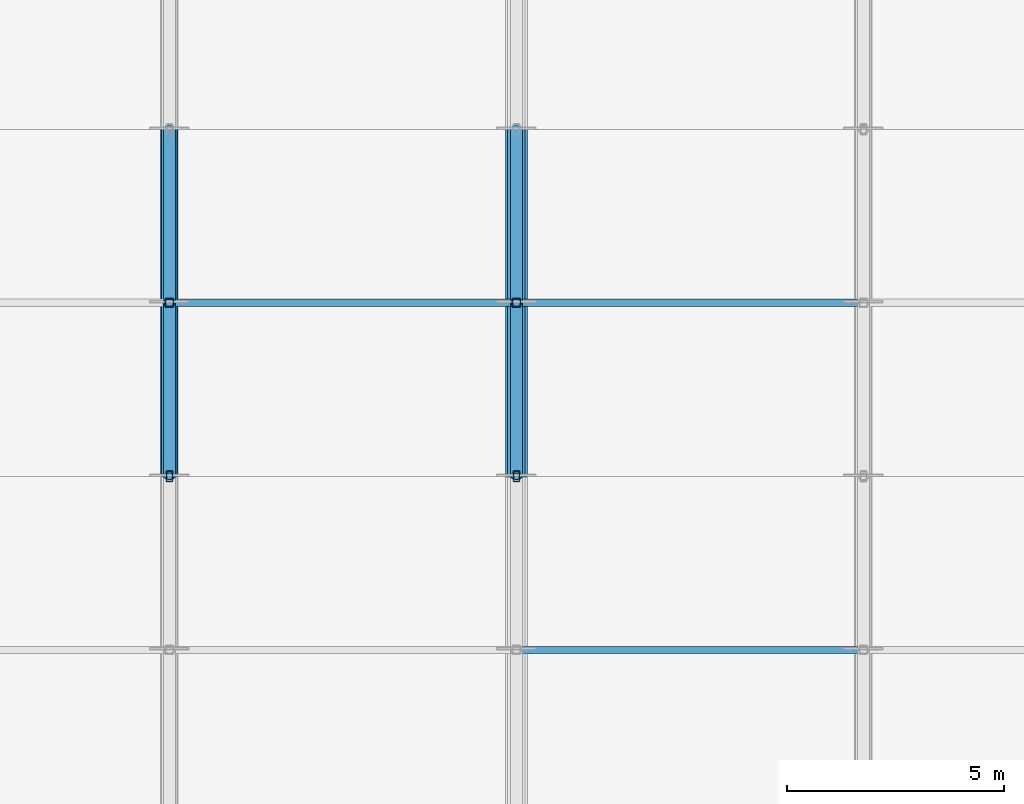
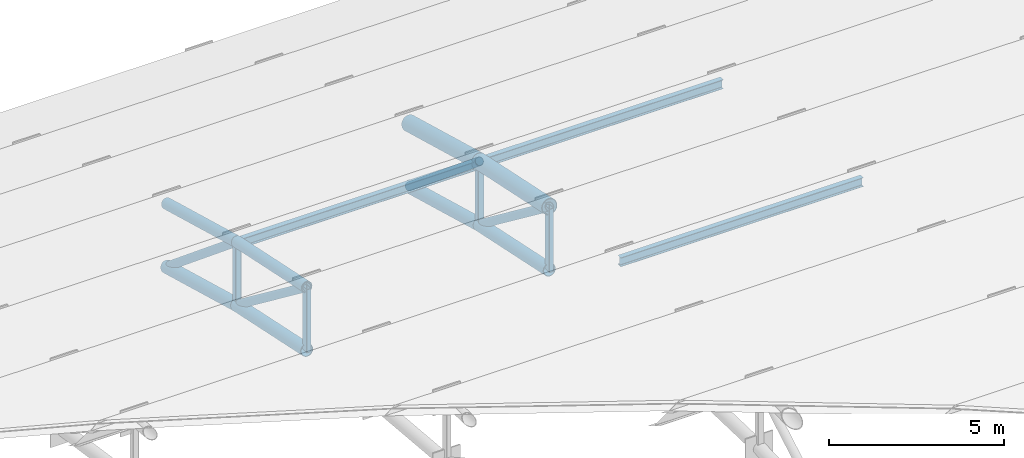
# One storey, part 16 of 98: 19 members.
"""IFC4 building model written with IfcOpenShell, lengths in metres."""

import ifcopenshell
import ifcopenshell.guid

model = None  # the IFC model being written
_history = None  # IfcOwnerHistory: only IFC2X3 demands one
_inside = {}  # id of a spatial element -> (the spatial element, [elements in it])
_under = {}  # id of a project, library or spatial element -> (it, [spatial elements below it])
_declared = {}  # id of a project -> (the project, [libraries it declares])
_typed = {}  # id of a type object -> (the type object, [elements of that type])
_made_of = {}  # id of a material, layer set ... -> (it, [elements and type objects made of it])


def new_model(schema):
    """Start an empty IFC model of exactly this schema.

    Asked for "IFC4X3", IfcOpenShell would pick the latest addendum, in which some entities
    have other attributes; the version numbers below select the first issue.
    IFC2X3 requires an IfcOwnerHistory on every rooted entity: one is made here for all.
    """
    global model, _history
    if schema == "IFC4X3":
        model = ifcopenshell.file(schema_version=(4, 3, 0, 0))
    else:
        model = ifcopenshell.file(schema=schema)
    _inside.clear()
    _under.clear()
    _declared.clear()
    _typed.clear()
    _made_of.clear()
    _history = None
    if model.schema == "IFC2X3":
        org = make("IfcOrganization", Name="unknown")
        user = make(
            "IfcPersonAndOrganization",
            ThePerson=make("IfcPerson", FamilyName="unknown"),
            TheOrganization=org,
        )
        app = make(
            "IfcApplication",
            ApplicationDeveloper=org,
            Version="unknown",
            ApplicationFullName="unknown",
            ApplicationIdentifier="unknown",
        )
        _history = make(
            "IfcOwnerHistory",
            OwningUser=user,
            OwningApplication=app,
            ChangeAction="ADDED",
            CreationDate=0,
        )
    return model


def make(cls, **values):
    """One entity of the class cls with the attributes given. An attribute that is None is left unset."""
    return model.create_entity(
        cls, **{name: value for name, value in values.items() if value is not None}
    )


def rooted(cls, **values):
    """An entity with a GlobalId (a new one), such as an element, a storey or a relation."""
    return make(cls, GlobalId=ifcopenshell.guid.new(), OwnerHistory=_history, **values)


def si_unit(unit_type, name, prefix=None):
    """IfcSIUnit, for example si_unit("LENGTHUNIT", "METRE", prefix="MILLI")."""
    return make("IfcSIUnit", UnitType=unit_type, Prefix=prefix, Name=name)


def assignment(units):
    """IfcUnitAssignment: the units of a project."""
    return None if units is None else make("IfcUnitAssignment", Units=units)


def point(xyz):
    """IfcCartesianPoint."""
    return None if xyz is None else make("IfcCartesianPoint", Coordinates=xyz)


def direction(xyz):
    """IfcDirection."""
    return None if xyz is None else make("IfcDirection", DirectionRatios=xyz)


def frame(location, z_axis=None, x_axis=None):
    """IfcAxis2Placement3D, a coordinate frame: its origin and axes. An axis left out is left unset."""
    return make(
        "IfcAxis2Placement3D",
        Location=point(location),
        Axis=direction(z_axis),
        RefDirection=direction(x_axis),
    )


def frame_2d(location, x_axis=None):
    """IfcAxis2Placement2D, a coordinate frame in the plane: its origin and x axis."""
    return make(
        "IfcAxis2Placement2D", Location=point(location), RefDirection=direction(x_axis)
    )


def origin():
    """The frame at (0, 0, 0) with its axes left unset."""
    return frame((0.0, 0.0, 0.0))


def origin_2d():
    """The frame at (0, 0) in the plane with its x axis left unset."""
    return frame_2d((0.0, 0.0))


def place(relative_to, where):
    """IfcLocalPlacement: puts the frame where relative to a parent placement (None: the world)."""
    return make(
        "IfcLocalPlacement", PlacementRelTo=relative_to, RelativePlacement=where
    )


def context(
    kind, dimensions, precision=None, world=None, true_north=None, identifier=None
):
    """IfcGeometricRepresentationContext, for example the 3D "Model" context."""
    return make(
        "IfcGeometricRepresentationContext",
        ContextIdentifier=identifier,
        ContextType=kind,
        CoordinateSpaceDimension=dimensions,
        Precision=precision,
        WorldCoordinateSystem=world,
        TrueNorth=true_north,
    )


def subcontext(parent, identifier, kind, view, scale=None):
    """IfcGeometricRepresentationSubContext, for example "Body" below "Model"."""
    return make(
        "IfcGeometricRepresentationSubContext",
        ContextIdentifier=identifier,
        ContextType=kind,
        ParentContext=parent,
        TargetScale=scale,
        TargetView=view,
    )


def project(units=None, contexts=None):
    """IfcProject with its units and contexts."""
    return rooted(
        "IfcProject",
        Name="project",
        RepresentationContexts=contexts,
        UnitsInContext=assignment(units),
    )


def spatial(cls, under=None, at=None, **own):
    """A site, building, storey or space (cls), placed at a placement, below another one or the project."""
    s = rooted(cls, ObjectPlacement=at, **own)
    if under is not None:
        _under.setdefault(under.id(), (under, []))[1].append(s)
    return s


def profile(cls, at=None, kind="AREA", **sizes):
    """A parametric profile (cls). Its sizes go by their IFC names, for example OverallWidth=200.0."""
    return make(cls, ProfileType=kind, Position=at, **sizes)


def hollow_rectangle(**sizes):
    """IfcRectangleHollowProfileDef."""
    return profile("IfcRectangleHollowProfileDef", **sizes)


def hollow_circle(**sizes):
    """IfcCircleHollowProfileDef."""
    return profile("IfcCircleHollowProfileDef", **sizes)


def i_section(**sizes):
    """IfcIShapeProfileDef."""
    return profile("IfcIShapeProfileDef", **sizes)


def extrude(swept, where, along, depth):
    """IfcExtrudedAreaSolid: the profile swept, set in the frame where, extruded along a direction by depth."""
    return make(
        "IfcExtrudedAreaSolid",
        SweptArea=swept,
        Position=where,
        ExtrudedDirection=direction(along),
        Depth=depth,
    )


def shape(context_of_items, identifier, shape_type, items):
    """IfcShapeRepresentation: the items that make up one representation, for example the "Body"."""
    return make(
        "IfcShapeRepresentation",
        ContextOfItems=context_of_items,
        RepresentationIdentifier=identifier,
        RepresentationType=shape_type,
        Items=items,
    )


def material(Name=None, Category=None):
    """IfcMaterial."""
    return make("IfcMaterial", Name=Name, Category=Category)


def material_profile(
    of_material, cross_section, Name=None, Category=None, Priority=None
):
    """IfcMaterialProfile: a cross section and its material."""
    return make(
        "IfcMaterialProfile",
        Name=Name,
        Material=of_material,
        Profile=cross_section,
        Priority=Priority,
        Category=Category,
    )


def profile_set(profiles, Name=None, composite=None):
    """IfcMaterialProfileSet."""
    return make(
        "IfcMaterialProfileSet",
        Name=Name,
        MaterialProfiles=profiles,
        CompositeProfile=composite,
    )


def made_of(thing, what):
    """Note that an element or type object is made of a material, layer set ...; save() writes the relation."""
    if what is not None:
        _made_of.setdefault(what.id(), (what, []))[1].append(thing)
    return thing


def type_object(cls, material=None, **own):
    """A type object (cls), such as IfcWallType, which elements share."""
    return made_of(rooted(cls, **own), material)


def element(
    cls,
    number,
    at=None,
    inside=None,
    cuts=None,
    type_object=None,
    material=None,
    context=None,
    identifier="Body",
    shape_type=None,
    held_by="IfcProductDefinitionShape",
    body=None,
    shapes=None,
    **own,
):
    """One element of the class cls, such as IfcWall. Its Tag is "e" and its number.

    at: its placement. inside: the storey or other place that contains it. cuts: it is an
    opening in that element (IfcRelVoidsElement). A single representation is given by context,
    identifier, shape_type and body (its items); several are given by shapes. held_by: the class
    of the entity that holds the representations. save() writes the other relations.
    """
    e = rooted(cls, Tag="e%d" % number, ObjectPlacement=at, **own)
    if body is not None:
        shapes = [shape(context, identifier, shape_type, body)]
    if shapes is not None:
        e.Representation = make(held_by, Representations=shapes)
    if inside is not None:
        _inside.setdefault(inside.id(), (inside, []))[1].append(e)
    if cuts is not None:
        rooted(
            "IfcRelVoidsElement", RelatingBuildingElement=cuts, RelatedOpeningElement=e
        )
    if type_object is not None:
        _typed.setdefault(type_object.id(), (type_object, []))[1].append(e)
    return made_of(e, material)


def aggregate(whole, parts):
    """IfcRelAggregates: a whole, such as a stair, and the parts it consists of."""
    return rooted("IfcRelAggregates", RelatingObject=whole, RelatedObjects=parts)


def save(model, path):
    """Write the relations noted so far, then the file.

    IfcRelAggregates (storeys below a building ...), IfcRelContainedInSpatialStructure (elements
    in a storey), IfcRelDefinesByType, IfcRelAssociatesMaterial and IfcRelDeclares: one each for
    every whole, place, type object, material and project.
    """
    for whole, parts in _under.values():
        aggregate(whole, parts)
    for where, things in _inside.values():
        rooted(
            "IfcRelContainedInSpatialStructure",
            RelatedElements=things,
            RelatingStructure=where,
        )
    for kind, things in _typed.values():
        rooted("IfcRelDefinesByType", RelatedObjects=things, RelatingType=kind)
    for what, things in _made_of.values():
        rooted("IfcRelAssociatesMaterial", RelatedObjects=things, RelatingMaterial=what)
    for by, libraries in _declared.values():
        rooted("IfcRelDeclares", RelatingContext=by, RelatedDefinitions=libraries)
    model.write(path)


model = new_model("IFC4")

# Units and contexts
model_context = context("Model", 3, precision=1e-05, world=origin(), true_north=direction((0.0, 1.0)))
body_context = subcontext(model_context, "Body", "Model", "MODEL_VIEW")
ifc_project = project(units=[si_unit("LENGTHUNIT", "METRE"), si_unit("AREAUNIT", "SQUARE_METRE"), si_unit("VOLUMEUNIT", "CUBIC_METRE"), si_unit("PLANEANGLEUNIT", "RADIAN"), si_unit("MASSUNIT", "GRAM", prefix="KILO")], contexts=[model_context])

# Site, building, storey
site_placement = place(None, origin())
site = spatial("IfcSite", under=ifc_project, at=site_placement, CompositionType="ELEMENT")
building_placement = place(site_placement, origin())
building = spatial("IfcBuilding", under=site, at=building_placement, Name="Tlacozan Convention Centre", CompositionType="ELEMENT")
storey_placement = place(building_placement, frame((0.0, 0.0, 25.800048828125)))
storey = spatial("IfcBuildingStorey", under=building, at=storey_placement, Name="Roof", CompositionType="ELEMENT", Elevation=25.800048828125)

# Members
ifc_material_1 = material(Name="Steel ASTM A500 Grade C", Category="steel")
ifc_material_profile_1 = material_profile(ifc_material_1, hollow_circle(Radius=0.203125, WallThickness=0.015869140625, at=origin_2d()), Name="OC 406.4x15.9")
ifc_profile_set_1 = profile_set([ifc_material_profile_1], Name="Steel ASTM A500 Grade C")
member_type_1 = type_object("IfcMemberType", Name="Arch Bottom Chord OC 406.4x15.9", PredefinedType="CHORD", material=ifc_profile_set_1)
member_1_placement = place(storey_placement, frame((16.0, 106.0, -5.8671875), z_axis=(0.0, 0.978552953366, -0.205995430674), x_axis=(-1.0, 0.0, 0.0)))
element("IfcMember", 1, at=member_1_placement, inside=storey, type_object=member_type_1, Name="V2A Roof Truss 3 Bottom Chord 12", PredefinedType="CHORD", context=body_context, shape_type="SweptSolid", body=[
    extrude(hollow_circle(Radius=0.203125, WallThickness=0.015869140625, at=origin_2d()), origin(), (0.0, 0.0, 1.0), 4.087646484375),
])
member_2_placement = place(storey_placement, frame((16.0, 110.0, -6.709228515625), z_axis=(0.0, 0.964289609145, -0.26485005134), x_axis=(-1.0, 0.0, 0.0)))
element("IfcMember", 2, at=member_2_placement, inside=storey, type_object=member_type_1, Name="V2A Roof Truss 3 Bottom Chord 13", PredefinedType="CHORD", context=body_context, shape_type="SweptSolid", body=[
    extrude(hollow_circle(Radius=0.203125, WallThickness=0.015869140625, at=origin_2d()), origin(), (0.0, 0.0, 1.0), 4.148193359375),
])
member_3_placement = place(storey_placement, frame((24.0, 106.0, -5.8671875), z_axis=(0.0, 0.978552953366, -0.205995430674), x_axis=(-1.0, 0.0, 0.0)))
element("IfcMember", 3, at=member_3_placement, inside=storey, type_object=member_type_1, Name="V2A Roof Truss 4 Bottom Chord 12", PredefinedType="CHORD", context=body_context, shape_type="SweptSolid", body=[
    extrude(hollow_circle(Radius=0.203125, WallThickness=0.015869140625, at=origin_2d()), origin(), (0.0, 0.0, 1.0), 4.087646484375),
])
member_4_placement = place(storey_placement, frame((24.0, 110.0, -6.709228515625), z_axis=(0.0, 0.964289609145, -0.26485005134), x_axis=(-1.0, 0.0, 0.0)))
element("IfcMember", 4, at=member_4_placement, inside=storey, type_object=member_type_1, Name="V2A Roof Truss 4 Bottom Chord 13", PredefinedType="CHORD", context=body_context, shape_type="SweptSolid", body=[
    extrude(hollow_circle(Radius=0.203125, WallThickness=0.015869140625, at=origin_2d()), origin(), (0.0, 0.0, 1.0), 4.148193359375),
])
ifc_material_profile_2 = material_profile(ifc_material_1, hollow_circle(Radius=0.25390625, WallThickness=0.01904296875, at=origin_2d()), Name="OC 508.0x19.1")
ifc_profile_set_2 = profile_set([ifc_material_profile_2], Name="Steel ASTM A500 Grade C")
member_type_2 = type_object("IfcMemberType", Name="Arch Top Chord OC 508x19.1", PredefinedType="CHORD", material=ifc_profile_set_2)
member_5_placement = place(storey_placement, frame((24.0, 106.0, -3.667236328125), z_axis=(0.0, 0.978552953366, -0.205995430674), x_axis=(-1.0, 0.0, 0.0)))
element("IfcMember", 5, at=member_5_placement, inside=storey, type_object=member_type_2, Name="V2A Roof Truss 4 Top Chord 12", PredefinedType="CHORD", context=body_context, shape_type="SweptSolid", body=[
    extrude(hollow_circle(Radius=0.25390625, WallThickness=0.01904296875, at=origin_2d()), origin(), (0.0, 0.0, 1.0), 4.087646484375),
])
member_6_placement = place(storey_placement, frame((24.0, 110.0, -4.50927734375), z_axis=(0.0, 0.964304639076, -0.264795322949), x_axis=(-1.0, 0.0, 0.0)))
element("IfcMember", 6, at=member_6_placement, inside=storey, type_object=member_type_2, Name="V2A Roof Truss 4 Top Chord 13", PredefinedType="CHORD", context=body_context, shape_type="SweptSolid", body=[
    extrude(hollow_circle(Radius=0.25390625, WallThickness=0.01904296875, at=origin_2d()), origin(), (0.0, 0.0, 1.0), 4.14794921875),
])
ifc_material_profile_3 = material_profile(ifc_material_1, hollow_circle(Radius=0.136474609375, WallThickness=0.0126953125, at=origin_2d()), Name="OC 273.1x12.7")
ifc_profile_set_3 = profile_set([ifc_material_profile_3], Name="Steel ASTM A500 Grade C")
member_type_3 = type_object("IfcMemberType", Name="Arch Web Diagonal OC 273.1x12.7", PredefinedType="BRACE", material=ifc_profile_set_3)
member_7_placement = place(storey_placement, frame((16.0, 106.0, -3.667236328125), z_axis=(0.0, 0.795971176065, -0.605334524766), x_axis=(-1.0, 0.0, 0.0)))
element("IfcMember", 7, at=member_7_placement, inside=storey, type_object=member_type_3, Name="V2A Roof Truss 3 Web Diagonal 12", PredefinedType="BRACE", context=body_context, shape_type="SweptSolid", body=[
    extrude(hollow_circle(Radius=0.136474609375, WallThickness=0.0126953125, at=origin_2d()), origin(), (0.0, 0.0, 1.0), 5.025390625),
])
member_8_placement = place(storey_placement, frame((16.0, 110.0, -4.50927734375), z_axis=(0.0, 0.771507331308, -0.63622043172), x_axis=(-1.0, 0.0, 0.0)))
element("IfcMember", 8, at=member_8_placement, inside=storey, type_object=member_type_3, Name="V2A Roof Truss 3 Web Diagonal 13", PredefinedType="BRACE", context=body_context, shape_type="SweptSolid", body=[
    extrude(hollow_circle(Radius=0.136474609375, WallThickness=0.0126953125, at=origin_2d()), origin(), (0.0, 0.0, 1.0), 5.1845703125),
])
member_9_placement = place(storey_placement, frame((24.0, 106.0, -3.667236328125), z_axis=(0.0, 0.795971176065, -0.605334524766), x_axis=(-1.0, 0.0, 0.0)))
element("IfcMember", 9, at=member_9_placement, inside=storey, type_object=member_type_3, Name="V2A Roof Truss 4 Web Diagonal 12", PredefinedType="BRACE", context=body_context, shape_type="SweptSolid", body=[
    extrude(hollow_circle(Radius=0.136474609375, WallThickness=0.0126953125, at=origin_2d()), origin(), (0.0, 0.0, 1.0), 5.025390625),
])
member_10_placement = place(storey_placement, frame((24.0, 110.0, -4.50927734375), z_axis=(0.0, 0.771507331308, -0.63622043172), x_axis=(-1.0, 0.0, 0.0)))
element("IfcMember", 10, at=member_10_placement, inside=storey, type_object=member_type_3, Name="V2A Roof Truss 4 Web Diagonal 13", PredefinedType="BRACE", context=body_context, shape_type="SweptSolid", body=[
    extrude(hollow_circle(Radius=0.136474609375, WallThickness=0.0126953125, at=origin_2d()), origin(), (0.0, 0.0, 1.0), 5.1845703125),
])
ifc_material_profile_4 = material_profile(ifc_material_1, hollow_rectangle(XDim=0.203125, YDim=0.203125, WallThickness=0.0126953125, InnerFilletRadius=0.0126953125, OuterFilletRadius=0.02490234375, at=origin_2d()), Name="OR 203x203x12.7")
ifc_profile_set_4 = profile_set([ifc_material_profile_4], Name="Steel ASTM A500 Grade C")
member_type_4 = type_object("IfcMemberType", Name="Arch Web Strut OR 203x203x12.7", PredefinedType="STRUT", material=ifc_profile_set_4)
for number, where, z_axis, x_axis, name in (
    (11, (16.0, 110.0, -6.709228515625), (0.0, 0.0, 1.0), (1.0, 0.0, 0.0), "V2A Roof Truss 3 Vertical Strut 13"),
    (12, (24.0, 110.0, -6.709228515625), (0.0, 0.0, 1.0), (1.0, 0.0, 0.0), "V2A Roof Truss 4 Vertical Strut 13"),
):
    element("IfcMember", number, at=place(storey_placement, frame(where, z_axis=z_axis, x_axis=x_axis)), inside=storey, type_object=member_type_4, Name=name, PredefinedType="STRUT", context=body_context, shape_type="SweptSolid", body=[
        extrude(hollow_rectangle(XDim=0.203125, YDim=0.203125, WallThickness=0.0126953125, InnerFilletRadius=0.0126953125, OuterFilletRadius=0.02490234375, at=origin_2d()), origin(), (0.0, 0.0, 1.0), 2.199951171875),
    ])
ifc_material_2 = material(Name="Steel ASTM A992 Grade 50", Category="steel")
ifc_material_profile_5 = material_profile(ifc_material_2, i_section(OverallWidth=0.1669921875, OverallDepth=0.31689453125, WebThickness=0.007568359375, FlangeThickness=0.01318359375, FilletRadius=0.010009765625, at=origin_2d()), Name="IR 305x52.2")
ifc_profile_set_5 = profile_set([ifc_material_profile_5], Name="Steel ASTM A992 Grade 50")
member_type_5 = type_object("IfcMemberType", Name="Roof Purlin IR 305x52.2", PredefinedType="PURLIN", material=ifc_profile_set_5)
for number, where, z_axis, x_axis, name in (
    (13, (16.0, 110.0, -4.57421875), (1.0, 0.0, 0.0), (0.0, 1.0, 0.0), "V2A Roof Truss Purlin 3.13"),
    (14, (24.0, 102.0, -3.13720703125), (1.0, 0.0, 0.0), (0.0, 1.0, 0.0), "V2A Roof Truss Purlin 4.11"),
    (15, (24.0, 110.0, -4.57421875), (1.0, 0.0, 0.0), (0.0, 1.0, 0.0), "V2A Roof Truss Purlin 4.13"),
):
    element("IfcMember", number, at=place(storey_placement, frame(where, z_axis=z_axis, x_axis=x_axis)), inside=storey, type_object=member_type_5, Name=name, PredefinedType="PURLIN", context=body_context, shape_type="SweptSolid", body=[
        extrude(i_section(OverallWidth=0.1669921875, OverallDepth=0.31689453125, WebThickness=0.007568359375, FlangeThickness=0.01318359375, FilletRadius=0.010009765625, at=origin_2d()), origin(), (0.0, 0.0, 1.0), 8.0),
    ])
ifc_material_profile_6 = material_profile(ifc_material_1, hollow_circle(Radius=0.177734375, WallThickness=0.015869140625, at=origin_2d()), Name="OC 355.6x15.9")
ifc_profile_set_6 = profile_set([ifc_material_profile_6], Name="Steel ASTM A500 Grade C")
member_type_6 = type_object("IfcMemberType", Name="Secondary Arch Chord OC 355.6x15.9", PredefinedType="CHORD", material=ifc_profile_set_6)
member_11_placement = place(storey_placement, frame((16.0, 106.0, -3.667236328125), z_axis=(0.0, 0.978552953366, -0.205995430674), x_axis=(-1.0, 0.0, 0.0)))
element("IfcMember", 16, at=member_11_placement, inside=storey, type_object=member_type_6, Name="V2A Roof Truss 3 Top Chord 12", PredefinedType="CHORD", context=body_context, shape_type="SweptSolid", body=[
    extrude(hollow_circle(Radius=0.177734375, WallThickness=0.015869140625, at=origin_2d()), origin(), (0.0, 0.0, 1.0), 4.087646484375),
])
member_12_placement = place(storey_placement, frame((16.0, 110.0, -4.50927734375), z_axis=(0.0, 0.964304639076, -0.264795322949), x_axis=(-1.0, 0.0, 0.0)))
element("IfcMember", 17, at=member_12_placement, inside=storey, type_object=member_type_6, Name="V2A Roof Truss 3 Top Chord 13", PredefinedType="CHORD", context=body_context, shape_type="SweptSolid", body=[
    extrude(hollow_circle(Radius=0.177734375, WallThickness=0.015869140625, at=origin_2d()), origin(), (0.0, 0.0, 1.0), 4.14794921875),
])
ifc_material_profile_7 = material_profile(ifc_material_1, hollow_rectangle(XDim=0.15234375, YDim=0.25390625, WallThickness=0.0126953125, InnerFilletRadius=0.0126953125, OuterFilletRadius=0.02490234375, at=origin_2d()), Name="OR 254x152x12.7")
ifc_profile_set_7 = profile_set([ifc_material_profile_7], Name="Steel ASTM A500 Grade C")
member_type_7 = type_object("IfcMemberType", Name="Truss Secondary Strut OR 254x152x12.7", PredefinedType="STRUT", material=ifc_profile_set_7)
for number, where, z_axis, x_axis, name in (
    (18, (16.0, 106.0, -5.8671875), (0.0, 0.0, 1.0), (1.0, 0.0, 0.0), "V2A Roof Truss 3 Vertical Strut 12"),
    (19, (24.0, 106.0, -5.8671875), (0.0, 0.0, 1.0), (1.0, 0.0, 0.0), "V2A Roof Truss 4 Vertical Strut 12"),
):
    element("IfcMember", number, at=place(storey_placement, frame(where, z_axis=z_axis, x_axis=x_axis)), inside=storey, type_object=member_type_7, Name=name, PredefinedType="STRUT", context=body_context, shape_type="SweptSolid", body=[
        extrude(hollow_rectangle(XDim=0.15234375, YDim=0.25390625, WallThickness=0.0126953125, InnerFilletRadius=0.0126953125, OuterFilletRadius=0.02490234375, at=origin_2d()), origin(), (0.0, 0.0, 1.0), 2.199951171875),
    ])

save(model, "model.ifc")
